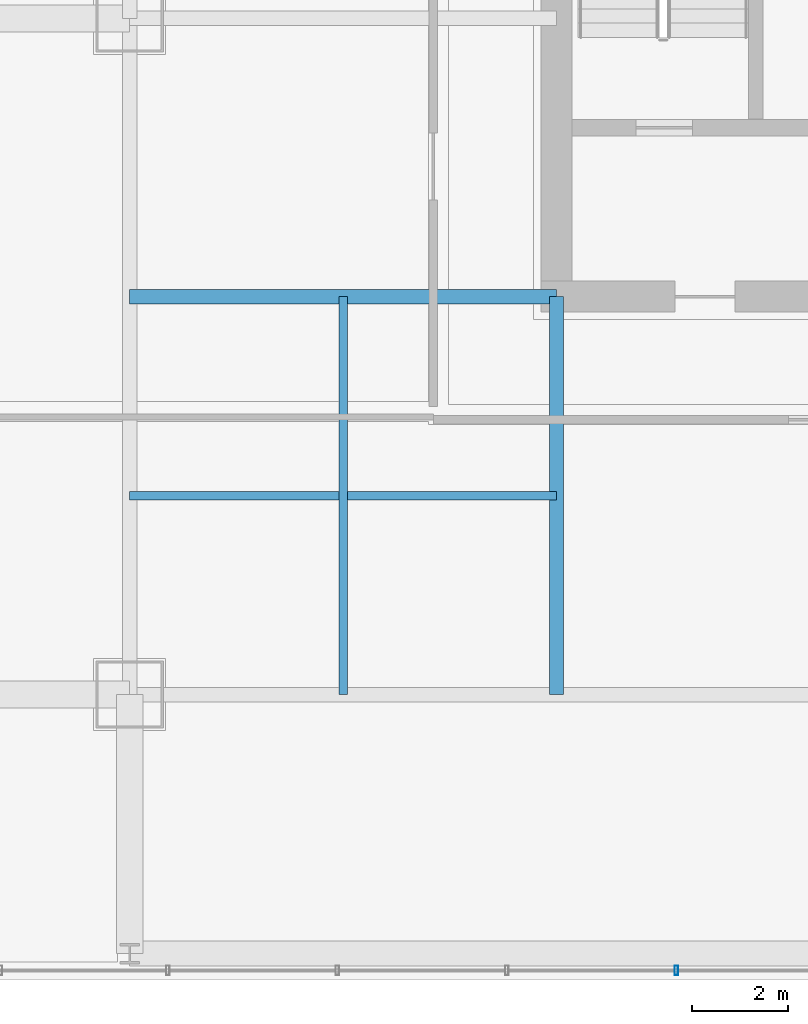
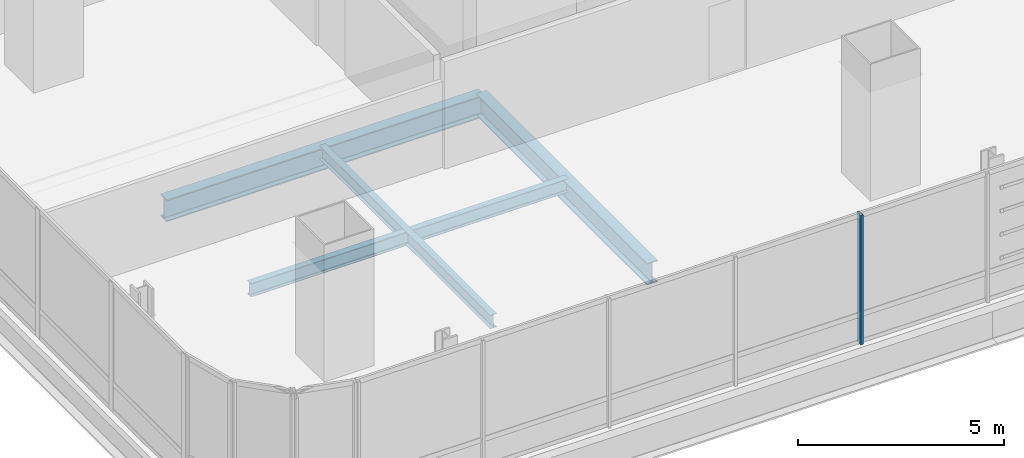
# One storey, part 5 of 36: 4 beams, 1 member, 1 element without a shape of its own.
"""IFC4 building model written with IfcOpenShell, lengths in metres."""

from ifc_helpers import new_model, si_unit, direction, frame, origin, origin_2d, place, context, subcontext, project, spatial, hollow_rectangle, i_section, extrude, material, material_profile, profile_set, type_object, element, aggregate, save


model = new_model("IFC4")

# Units and contexts
model_context = context("Model", 3, precision=1e-05, world=origin(), true_north=direction((0.0, 1.0)))
body_context = subcontext(model_context, "Body", "Model", "MODEL_VIEW")
ifc_project = project(units=[si_unit("LENGTHUNIT", "METRE"), si_unit("AREAUNIT", "SQUARE_METRE"), si_unit("VOLUMEUNIT", "CUBIC_METRE"), si_unit("PLANEANGLEUNIT", "RADIAN"), si_unit("MASSUNIT", "GRAM", prefix="KILO")], contexts=[model_context])

# Site, building, storey
site_placement = place(None, origin())
site = spatial("IfcSite", under=ifc_project, at=site_placement, CompositionType="ELEMENT")
building_placement = place(site_placement, origin())
building = spatial("IfcBuilding", under=site, at=building_placement, Name="Punatoya Terracotta Tower", CompositionType="ELEMENT")
storey_placement = place(building_placement, frame((0.0, 0.0, 180.300048828125)))
storey = spatial("IfcBuildingStorey", under=building, at=storey_placement, Name="L42", CompositionType="ELEMENT", Elevation=180.300048828125)

# Beams
ifc_material_1 = material(Name="Steel S355", Category="steel")
ifc_material_profile_1 = material_profile(ifc_material_1, i_section(OverallWidth=0.300048828125, OverallDepth=0.64990234375, WebThickness=0.01611328125, FlangeThickness=0.031005859375, FilletRadius=0.01806640625, at=origin_2d()))
ifc_profile_set_1 = profile_set([ifc_material_profile_1], Name="Steel S355")
beam_type_1 = type_object("IfcBeamType", Name="BM-PRI-650", PredefinedType="BEAM", material=ifc_profile_set_1)
beam_1_placement = place(storey_placement, frame((-19.10009765625, -9.199951171875, -0.545166015625), z_axis=(1.0, 0.0, 0.0), x_axis=(0.0, 1.0, 0.0)))
element("IfcBeam", 1, at=beam_1_placement, inside=storey, type_object=beam_type_1, Name="BM-L42-PR-WS", PredefinedType="BEAM", context=body_context, shape_type="SweptSolid", body=[
    extrude(i_section(OverallWidth=0.300048828125, OverallDepth=0.64990234375, WebThickness=0.01611328125, FlangeThickness=0.031005859375, FilletRadius=0.01806640625, at=origin_2d()), origin(), (0.0, 0.0, 1.0), 8.900146484375),
])
beam_2_placement = place(storey_placement, frame((-10.199951171875, -17.5, -0.545166015625), z_axis=(0.0, 1.0, 0.0), x_axis=(-1.0, 0.0, 0.0)))
element("IfcBeam", 2, at=beam_2_placement, inside=storey, type_object=beam_type_1, Name="BM-L42-PR-S1", PredefinedType="BEAM", context=body_context, shape_type="SweptSolid", body=[
    extrude(i_section(OverallWidth=0.300048828125, OverallDepth=0.64990234375, WebThickness=0.01611328125, FlangeThickness=0.031005859375, FilletRadius=0.01806640625, at=origin_2d()), origin(), (0.0, 0.0, 1.0), 8.300048828125),
])
ifc_material_profile_2 = material_profile(ifc_material_1, i_section(OverallWidth=0.179931640625, OverallDepth=0.39990234375, WebThickness=0.008544921875, FlangeThickness=0.013427734375, FilletRadius=0.01806640625, at=origin_2d()))
ifc_profile_set_2 = profile_set([ifc_material_profile_2], Name="Steel S355")
beam_type_2 = type_object("IfcBeamType", Name="BM-SEC-400", PredefinedType="JOIST", material=ifc_profile_set_2)
beam_3_placement = place(storey_placement, frame((-19.10009765625, -13.35009765625, -0.420166015625), z_axis=(1.0, 0.0, 0.0), x_axis=(0.0, 1.0, 0.0)))
element("IfcBeam", 3, at=beam_3_placement, inside=storey, type_object=beam_type_2, Name="BM-L42-SJS-1", PredefinedType="JOIST", context=body_context, shape_type="SweptSolid", body=[
    extrude(i_section(OverallWidth=0.179931640625, OverallDepth=0.39990234375, WebThickness=0.008544921875, FlangeThickness=0.013427734375, FilletRadius=0.01806640625, at=origin_2d()), origin(), (0.0, 0.0, 1.0), 8.900146484375),
])
beam_4_placement = place(storey_placement, frame((-14.64990234375, -17.5, -0.420166015625), z_axis=(0.0, 1.0, 0.0), x_axis=(-1.0, 0.0, 0.0)))
element("IfcBeam", 4, at=beam_4_placement, inside=storey, type_object=beam_type_2, Name="BM-L42-SJW-1", PredefinedType="JOIST", context=body_context, shape_type="SweptSolid", body=[
    extrude(i_section(OverallWidth=0.179931640625, OverallDepth=0.39990234375, WebThickness=0.008544921875, FlangeThickness=0.013427734375, FilletRadius=0.01806640625, at=origin_2d()), origin(), (0.0, 0.0, 1.0), 8.300048828125),
])

# Curtain wall, member
ifc_material_2 = material(Name="Aluminium 6063-T6 + Double Low-E Glass", Category="aluminium")
curtain_wall_type = type_object("IfcCurtainWallType", Name="CW-M2", PredefinedType="NOTDEFINED", material=ifc_material_2)
curtain_wall_placement = place(storey_placement, origin())
curtain_wall = element("IfcCurtainWall", 5, at=curtain_wall_placement, inside=storey, type_object=curtain_wall_type, Name="L42 Curtain Wall CW-L42-S01-1", PredefinedType="NOTDEFINED")
ifc_material_3 = material(Name="Aluminium 6063-T6", Category="aluminium")
ifc_material_profile_3 = material_profile(ifc_material_3, hollow_rectangle(XDim=0.072021484375, YDim=0.195068359375, WallThickness=0.00439453125, at=origin_2d()))
ifc_profile_set_3 = profile_set([ifc_material_profile_3], Name="Aluminium 6063-T6")
member_type = type_object("IfcMemberType", Name="CW-MUL-M2", PredefinedType="MULLION", material=ifc_profile_set_3)
member_placement = place(storey_placement, frame((-7.700927734375, -23.25, 0.0), z_axis=(0.0, 0.0, 1.0), x_axis=(1.0, 0.0, 0.0)))
member = element("IfcMember", 6, at=member_placement, type_object=member_type, Name="CW-L42-S01-1 Mullion 04", PredefinedType="MULLION", context=body_context, shape_type="SweptSolid", body=[
    extrude(hollow_rectangle(XDim=0.072021484375, YDim=0.195068359375, WallThickness=0.00439453125, at=origin_2d()), origin(), (0.0, 0.0, 1.0), 3.829833984375),
])
aggregate(curtain_wall, [member])

save(model, "model.ifc")
